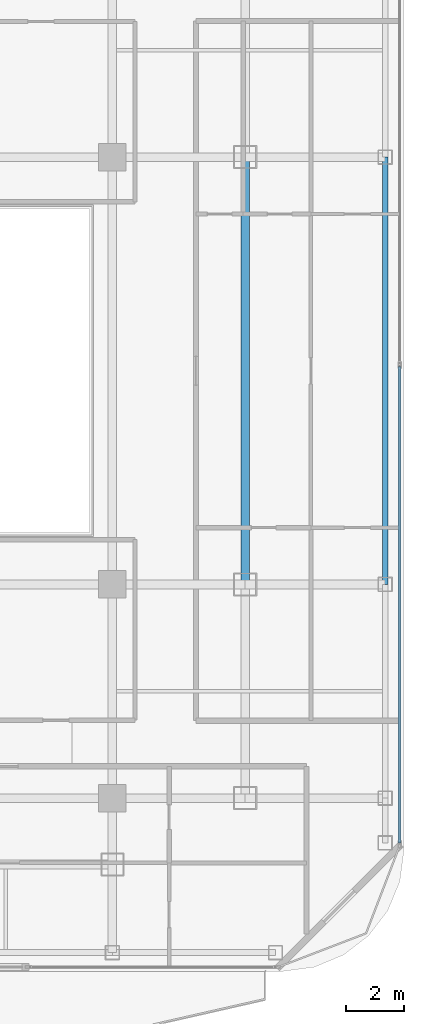
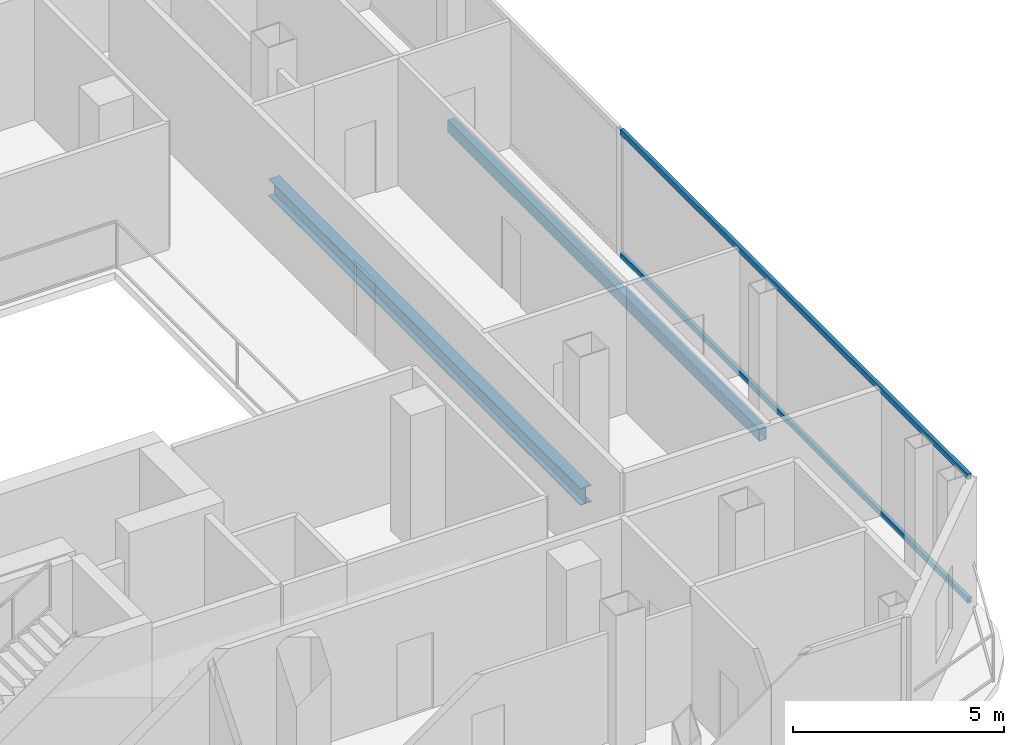
# One storey, part 8 of 22: 2 beams, 2 members, 1 element without a shape of its own.
"""IFC4 building model written with IfcOpenShell, lengths in metres."""

from ifc_helpers import new_model, si_unit, direction, frame, origin, origin_2d, place, context, subcontext, project, spatial, hollow_rectangle, i_section, extrude, material, layer, layer_set, material_profile, profile_set, type_object, element, aggregate, save


model = new_model("IFC4")

# Units and contexts
model_context = context("Model", 3, precision=1e-05, world=origin(), true_north=direction((0.0, 1.0)))
body_context = subcontext(model_context, "Body", "Model", "MODEL_VIEW")
ifc_project = project(units=[si_unit("LENGTHUNIT", "METRE"), si_unit("AREAUNIT", "SQUARE_METRE"), si_unit("VOLUMEUNIT", "CUBIC_METRE"), si_unit("PLANEANGLEUNIT", "RADIAN"), si_unit("MASSUNIT", "GRAM", prefix="KILO")], contexts=[model_context])

# Site, building, storey
site_placement = place(None, origin())
site = spatial("IfcSite", under=ifc_project, at=site_placement, CompositionType="ELEMENT")
building_placement = place(site_placement, origin())
building = spatial("IfcBuilding", under=site, at=building_placement, Name="Khorvyn Point Tower", CompositionType="ELEMENT")
storey_placement = place(building_placement, frame((0.0, 0.0, 278.10009765625)))
storey = spatial("IfcBuildingStorey", under=building, at=storey_placement, Name="L68", CompositionType="ELEMENT", Elevation=278.10009765625)

# Curtain wall, members
ifc_material_1 = material(Name="Anodised aluminium 6063-T6 and laminated Low-E glass", Category="aluminium")
ifc_layer = layer(ifc_material_1, 0.18994140625)
ifc_layer_set = layer_set([ifc_layer], Name="Stick-Built High-Wind Curtain Wall CW-SYS-04")
curtain_wall_type = type_object("IfcCurtainWallType", Name="Stick-Built High-Wind Curtain Wall CW-SYS-04", PredefinedType="NOTDEFINED", material=ifc_layer_set)
curtain_wall_placement = place(storey_placement, origin())
curtain_wall = element("IfcCurtainWall", 1, at=curtain_wall_placement, inside=storey, type_object=curtain_wall_type, Name="Curtain Wall", PredefinedType="NOTDEFINED")
ifc_material_2 = material(Name="Anodised aluminium 6063-T6", Category="aluminium")
ifc_material_profile_1 = material_profile(ifc_material_2, hollow_rectangle(XDim=0.10009765625, YDim=0.159912109375, WallThickness=0.00439453125, at=origin_2d()))
ifc_profile_set_1 = profile_set([ifc_material_profile_1], Name="Anodised aluminium 6063-T6 ALU-TRN-100x160")
member_type = type_object("IfcMemberType", Name="Anodised Aluminium 6063-T6 Transom ALU-TRN-100x160", PredefinedType="USERDEFINED", material=ifc_profile_set_1)
member_1_placement = place(storey_placement, frame((24.75, 0.14990234375, 0.0498046875), z_axis=(0.0, -1.0, 0.0), x_axis=(1.0, 0.0, 0.0)))
member_1 = element("IfcMember", 2, at=member_1_placement, type_object=member_type, Name="Transom", ObjectType="TRANSOM", PredefinedType="USERDEFINED", context=body_context, shape_type="SweptSolid", body=[
    extrude(hollow_rectangle(XDim=0.10009765625, YDim=0.159912109375, WallThickness=0.00439453125, at=origin_2d()), origin(), (0.0, 0.0, 1.0), 16.5),
])
member_2_placement = place(storey_placement, frame((24.75, 0.14990234375, 3.6298828125), z_axis=(0.0, -1.0, 0.0), x_axis=(1.0, 0.0, 0.0)))
member_2 = element("IfcMember", 3, at=member_2_placement, type_object=member_type, Name="Transom", ObjectType="TRANSOM", PredefinedType="USERDEFINED", context=body_context, shape_type="SweptSolid", body=[
    extrude(hollow_rectangle(XDim=0.10009765625, YDim=0.159912109375, WallThickness=0.00439453125, at=origin_2d()), origin(), (0.0, 0.0, 1.0), 16.5),
])
aggregate(curtain_wall, [member_1, member_2])

# Beams
ifc_material_3 = material(Name="Steel S355", Category="steel")
ifc_material_profile_2 = material_profile(ifc_material_3, i_section(OverallWidth=0.300048828125, OverallDepth=0.488037109375, WebThickness=0.010986328125, FlangeThickness=0.01806640625, at=origin_2d()))
ifc_profile_set_2 = profile_set([ifc_material_profile_2], Name="Steel S355 H488x300x11x18")
beam_type_1 = type_object("IfcBeamType", Name="Steel S355 Spandrel H488x300x11x18", PredefinedType="SPANDREL", material=ifc_profile_set_2)
beam_1_placement = place(storey_placement, frame((19.39990234375, -7.39990234375, -0.464111328125), z_axis=(0.0, 1.0, 0.0), x_axis=(-1.0, 0.0, 0.0)))
element("IfcBeam", 4, at=beam_1_placement, inside=storey, type_object=beam_type_1, Name="Beam", PredefinedType="SPANDREL", context=body_context, shape_type="SweptSolid", body=[
    extrude(i_section(OverallWidth=0.300048828125, OverallDepth=0.488037109375, WebThickness=0.010986328125, FlangeThickness=0.01806640625, at=origin_2d()), origin(), (0.0, 0.0, 1.0), 14.7998046875),
])
ifc_material_profile_3 = material_profile(ifc_material_3, hollow_rectangle(XDim=0.199951171875, YDim=0.35009765625, WallThickness=0.013916015625, at=origin_2d()))
ifc_profile_set_3 = profile_set([ifc_material_profile_3], Name="Steel S355 RHS350x200x14")
beam_type_2 = type_object("IfcBeamType", Name="Steel S355 Spandrel RHS350x200x14", PredefinedType="SPANDREL", material=ifc_profile_set_3)
beam_2_placement = place(storey_placement, frame((24.25, -7.39990234375, -0.39501953125), z_axis=(0.0, 1.0, 0.0), x_axis=(-1.0, 0.0, 0.0)))
element("IfcBeam", 5, at=beam_2_placement, inside=storey, type_object=beam_type_2, Name="Beam", PredefinedType="SPANDREL", context=body_context, shape_type="SweptSolid", body=[
    extrude(hollow_rectangle(XDim=0.199951171875, YDim=0.35009765625, WallThickness=0.013916015625, at=origin_2d()), origin(), (0.0, 0.0, 1.0), 14.7998046875),
])

save(model, "model.ifc")
